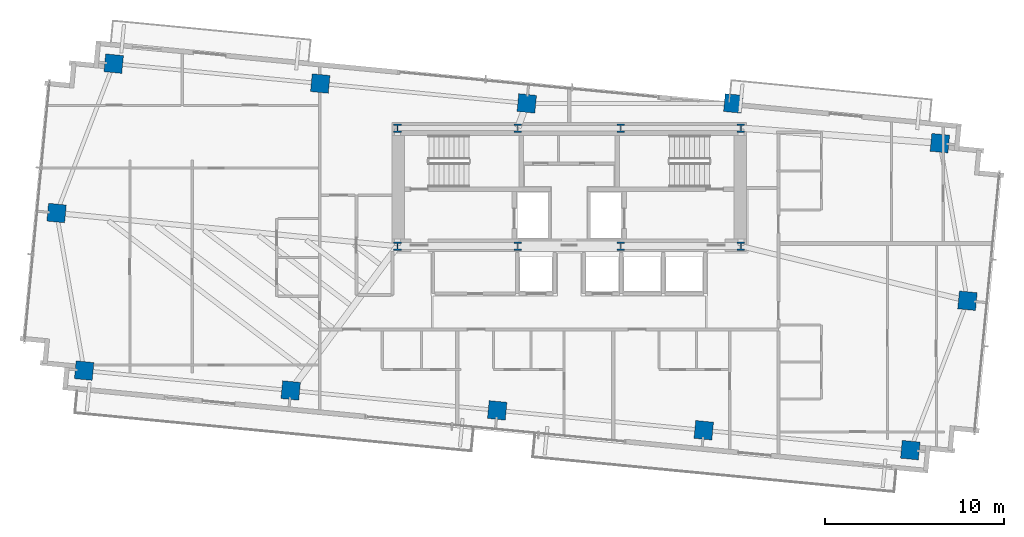
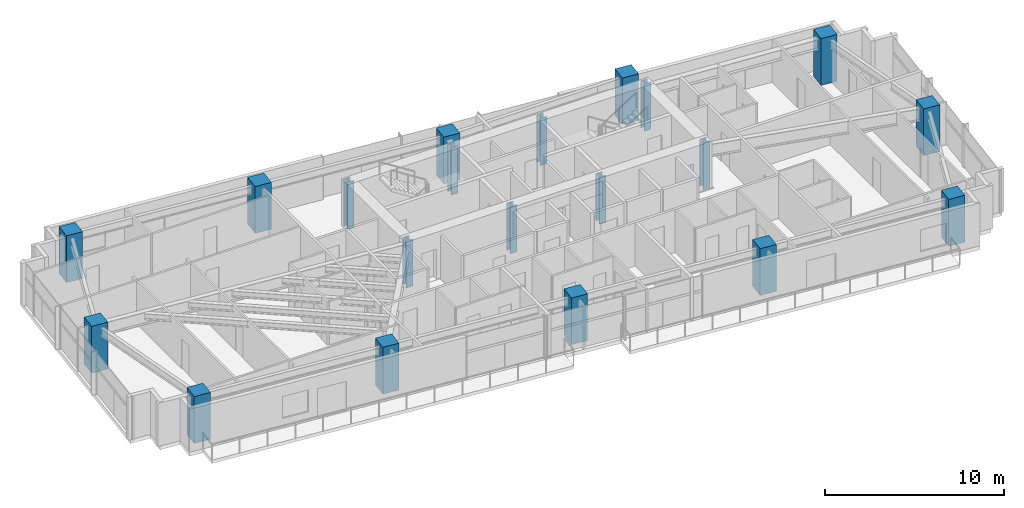
# One storey, part 1 of 19: 20 columns.
"""IFC4 building model written with IfcOpenShell, lengths in metres."""

import ifcopenshell
import ifcopenshell.guid

model = None  # the IFC model being written
_history = None  # IfcOwnerHistory: only IFC2X3 demands one
_inside = {}  # id of a spatial element -> (the spatial element, [elements in it])
_under = {}  # id of a project, library or spatial element -> (it, [spatial elements below it])
_declared = {}  # id of a project -> (the project, [libraries it declares])
_typed = {}  # id of a type object -> (the type object, [elements of that type])
_made_of = {}  # id of a material, layer set ... -> (it, [elements and type objects made of it])


def new_model(schema):
    """Start an empty IFC model of exactly this schema.

    Asked for "IFC4X3", IfcOpenShell would pick the latest addendum, in which some entities
    have other attributes; the version numbers below select the first issue.
    IFC2X3 requires an IfcOwnerHistory on every rooted entity: one is made here for all.
    """
    global model, _history
    if schema == "IFC4X3":
        model = ifcopenshell.file(schema_version=(4, 3, 0, 0))
    else:
        model = ifcopenshell.file(schema=schema)
    _inside.clear()
    _under.clear()
    _declared.clear()
    _typed.clear()
    _made_of.clear()
    _history = None
    if model.schema == "IFC2X3":
        org = make("IfcOrganization", Name="unknown")
        user = make(
            "IfcPersonAndOrganization",
            ThePerson=make("IfcPerson", FamilyName="unknown"),
            TheOrganization=org,
        )
        app = make(
            "IfcApplication",
            ApplicationDeveloper=org,
            Version="unknown",
            ApplicationFullName="unknown",
            ApplicationIdentifier="unknown",
        )
        _history = make(
            "IfcOwnerHistory",
            OwningUser=user,
            OwningApplication=app,
            ChangeAction="ADDED",
            CreationDate=0,
        )
    return model


def make(cls, **values):
    """One entity of the class cls with the attributes given. An attribute that is None is left unset."""
    return model.create_entity(
        cls, **{name: value for name, value in values.items() if value is not None}
    )


def rooted(cls, **values):
    """An entity with a GlobalId (a new one), such as an element, a storey or a relation."""
    return make(cls, GlobalId=ifcopenshell.guid.new(), OwnerHistory=_history, **values)


def si_unit(unit_type, name, prefix=None):
    """IfcSIUnit, for example si_unit("LENGTHUNIT", "METRE", prefix="MILLI")."""
    return make("IfcSIUnit", UnitType=unit_type, Prefix=prefix, Name=name)


def assignment(units):
    """IfcUnitAssignment: the units of a project."""
    return None if units is None else make("IfcUnitAssignment", Units=units)


def point(xyz):
    """IfcCartesianPoint."""
    return None if xyz is None else make("IfcCartesianPoint", Coordinates=xyz)


def direction(xyz):
    """IfcDirection."""
    return None if xyz is None else make("IfcDirection", DirectionRatios=xyz)


def frame(location, z_axis=None, x_axis=None):
    """IfcAxis2Placement3D, a coordinate frame: its origin and axes. An axis left out is left unset."""
    return make(
        "IfcAxis2Placement3D",
        Location=point(location),
        Axis=direction(z_axis),
        RefDirection=direction(x_axis),
    )


def frame_2d(location, x_axis=None):
    """IfcAxis2Placement2D, a coordinate frame in the plane: its origin and x axis."""
    return make(
        "IfcAxis2Placement2D", Location=point(location), RefDirection=direction(x_axis)
    )


def origin():
    """The frame at (0, 0, 0) with its axes left unset."""
    return frame((0.0, 0.0, 0.0))


def origin_2d():
    """The frame at (0, 0) in the plane with its x axis left unset."""
    return frame_2d((0.0, 0.0))


def place(relative_to, where):
    """IfcLocalPlacement: puts the frame where relative to a parent placement (None: the world)."""
    return make(
        "IfcLocalPlacement", PlacementRelTo=relative_to, RelativePlacement=where
    )


def context(
    kind, dimensions, precision=None, world=None, true_north=None, identifier=None
):
    """IfcGeometricRepresentationContext, for example the 3D "Model" context."""
    return make(
        "IfcGeometricRepresentationContext",
        ContextIdentifier=identifier,
        ContextType=kind,
        CoordinateSpaceDimension=dimensions,
        Precision=precision,
        WorldCoordinateSystem=world,
        TrueNorth=true_north,
    )


def subcontext(parent, identifier, kind, view, scale=None):
    """IfcGeometricRepresentationSubContext, for example "Body" below "Model"."""
    return make(
        "IfcGeometricRepresentationSubContext",
        ContextIdentifier=identifier,
        ContextType=kind,
        ParentContext=parent,
        TargetScale=scale,
        TargetView=view,
    )


def project(units=None, contexts=None):
    """IfcProject with its units and contexts."""
    return rooted(
        "IfcProject",
        Name="project",
        RepresentationContexts=contexts,
        UnitsInContext=assignment(units),
    )


def spatial(cls, under=None, at=None, **own):
    """A site, building, storey or space (cls), placed at a placement, below another one or the project."""
    s = rooted(cls, ObjectPlacement=at, **own)
    if under is not None:
        _under.setdefault(under.id(), (under, []))[1].append(s)
    return s


def profile(cls, at=None, kind="AREA", **sizes):
    """A parametric profile (cls). Its sizes go by their IFC names, for example OverallWidth=200.0."""
    return make(cls, ProfileType=kind, Position=at, **sizes)


def rectangle(**sizes):
    """IfcRectangleProfileDef."""
    return profile("IfcRectangleProfileDef", **sizes)


def i_section(**sizes):
    """IfcIShapeProfileDef."""
    return profile("IfcIShapeProfileDef", **sizes)


def extrude(swept, where, along, depth):
    """IfcExtrudedAreaSolid: the profile swept, set in the frame where, extruded along a direction by depth."""
    return make(
        "IfcExtrudedAreaSolid",
        SweptArea=swept,
        Position=where,
        ExtrudedDirection=direction(along),
        Depth=depth,
    )


def shape(context_of_items, identifier, shape_type, items):
    """IfcShapeRepresentation: the items that make up one representation, for example the "Body"."""
    return make(
        "IfcShapeRepresentation",
        ContextOfItems=context_of_items,
        RepresentationIdentifier=identifier,
        RepresentationType=shape_type,
        Items=items,
    )


def source(mapping_origin, context_of_items, identifier, shape_type, items):
    """IfcRepresentationMap: a shape defined once, which mapped items show again and again."""
    return make(
        "IfcRepresentationMap",
        MappingOrigin=mapping_origin,
        MappedRepresentation=shape(context_of_items, identifier, shape_type, items),
    )


def transform(
    local_origin,
    x_axis=None,
    y_axis=None,
    z_axis=None,
    scale=None,
    scale2=None,
    scale3=None,
    uniform=True,
):
    """IfcCartesianTransformationOperator3D, or its non-uniform kind. x_axis, y_axis, z_axis: its Axis1, 2, 3."""
    if uniform:
        return make(
            "IfcCartesianTransformationOperator3D",
            Axis1=direction(x_axis),
            Axis2=direction(y_axis),
            LocalOrigin=point(local_origin),
            Scale=scale,
            Axis3=direction(z_axis),
        )
    return make(
        "IfcCartesianTransformationOperator3DnonUniform",
        Axis1=direction(x_axis),
        Axis2=direction(y_axis),
        LocalOrigin=point(local_origin),
        Scale=scale,
        Axis3=direction(z_axis),
        Scale2=scale2,
        Scale3=scale3,
    )


def mapped(mapping_source, mapping_target):
    """IfcMappedItem: shows the shape of a source again, moved by a transform."""
    return make(
        "IfcMappedItem", MappingSource=mapping_source, MappingTarget=mapping_target
    )


def material(Name=None, Category=None):
    """IfcMaterial."""
    return make("IfcMaterial", Name=Name, Category=Category)


def material_profile(
    of_material, cross_section, Name=None, Category=None, Priority=None
):
    """IfcMaterialProfile: a cross section and its material."""
    return make(
        "IfcMaterialProfile",
        Name=Name,
        Material=of_material,
        Profile=cross_section,
        Priority=Priority,
        Category=Category,
    )


def profile_set(profiles, Name=None, composite=None):
    """IfcMaterialProfileSet."""
    return make(
        "IfcMaterialProfileSet",
        Name=Name,
        MaterialProfiles=profiles,
        CompositeProfile=composite,
    )


def made_of(thing, what):
    """Note that an element or type object is made of a material, layer set ...; save() writes the relation."""
    if what is not None:
        _made_of.setdefault(what.id(), (what, []))[1].append(thing)
    return thing


def type_object(cls, material=None, **own):
    """A type object (cls), such as IfcWallType, which elements share."""
    return made_of(rooted(cls, **own), material)


def type_shapes(of_type, sources):
    """Give a type object the sources (RepresentationMaps) that its elements show as mapped items."""
    of_type.RepresentationMaps = sources


def element(
    cls,
    number,
    at=None,
    inside=None,
    cuts=None,
    type_object=None,
    material=None,
    context=None,
    identifier="Body",
    shape_type=None,
    held_by="IfcProductDefinitionShape",
    body=None,
    shapes=None,
    **own,
):
    """One element of the class cls, such as IfcWall. Its Tag is "e" and its number.

    at: its placement. inside: the storey or other place that contains it. cuts: it is an
    opening in that element (IfcRelVoidsElement). A single representation is given by context,
    identifier, shape_type and body (its items); several are given by shapes. held_by: the class
    of the entity that holds the representations. save() writes the other relations.
    """
    e = rooted(cls, Tag="e%d" % number, ObjectPlacement=at, **own)
    if body is not None:
        shapes = [shape(context, identifier, shape_type, body)]
    if shapes is not None:
        e.Representation = make(held_by, Representations=shapes)
    if inside is not None:
        _inside.setdefault(inside.id(), (inside, []))[1].append(e)
    if cuts is not None:
        rooted(
            "IfcRelVoidsElement", RelatingBuildingElement=cuts, RelatedOpeningElement=e
        )
    if type_object is not None:
        _typed.setdefault(type_object.id(), (type_object, []))[1].append(e)
    return made_of(e, material)


def aggregate(whole, parts):
    """IfcRelAggregates: a whole, such as a stair, and the parts it consists of."""
    return rooted("IfcRelAggregates", RelatingObject=whole, RelatedObjects=parts)


def save(model, path):
    """Write the relations noted so far, then the file.

    IfcRelAggregates (storeys below a building ...), IfcRelContainedInSpatialStructure (elements
    in a storey), IfcRelDefinesByType, IfcRelAssociatesMaterial and IfcRelDeclares: one each for
    every whole, place, type object, material and project.
    """
    for whole, parts in _under.values():
        aggregate(whole, parts)
    for where, things in _inside.values():
        rooted(
            "IfcRelContainedInSpatialStructure",
            RelatedElements=things,
            RelatingStructure=where,
        )
    for kind, things in _typed.values():
        rooted("IfcRelDefinesByType", RelatedObjects=things, RelatingType=kind)
    for what, things in _made_of.values():
        rooted("IfcRelAssociatesMaterial", RelatedObjects=things, RelatingMaterial=what)
    for by, libraries in _declared.values():
        rooted("IfcRelDeclares", RelatingContext=by, RelatedDefinitions=libraries)
    model.write(path)


model = new_model("IFC4")

# Units and contexts
model_context = context("Model", 3, precision=1e-05, world=origin(), true_north=direction((0.0, 1.0)))
body_context = subcontext(model_context, "Body", "Model", "MODEL_VIEW")
ifc_project = project(units=[si_unit("LENGTHUNIT", "METRE"), si_unit("AREAUNIT", "SQUARE_METRE"), si_unit("VOLUMEUNIT", "CUBIC_METRE"), si_unit("PLANEANGLEUNIT", "RADIAN"), si_unit("MASSUNIT", "GRAM", prefix="KILO")], contexts=[model_context])

# Site, building, storey
site_placement = place(None, origin())
site = spatial("IfcSite", under=ifc_project, at=site_placement, CompositionType="ELEMENT")
building_placement = place(site_placement, origin())
building = spatial("IfcBuilding", under=site, at=building_placement, Name="Astriad Promenade Condominiums", CompositionType="ELEMENT")
storey_placement = place(building_placement, frame((0.0, 0.0, 140.60009765625)))
storey = spatial("IfcBuildingStorey", under=building, at=storey_placement, Name="L40", CompositionType="ELEMENT", Elevation=140.60009765625)

# Columns
ifc_material_1 = material(Name="Steel ASTM A992 Grade 50", Category="steel")
ifc_material_profile_1 = material_profile(ifc_material_1, i_section(OverallWidth=0.42138671875, OverallDepth=0.464599609375, WebThickness=0.044921875, FlangeThickness=0.072509765625, FilletRadius=0.017822265625, at=origin_2d()), Name="W14X398")
ifc_profile_set_1 = profile_set([ifc_material_profile_1], Name="Steel ASTM A992 Grade 50")
column_type_1 = type_object("IfcColumnType", Name="STEEL CORE PILASTER W14X398", PredefinedType="PILASTER", material=ifc_profile_set_1)
shared_shape_1 = source(origin(), body_context, "Body", "SweptSolid", [
    extrude(i_section(OverallWidth=0.42138671875, OverallDepth=0.464599609375, WebThickness=0.044921875, FlangeThickness=0.072509765625, FilletRadius=0.017822265625, at=origin_2d()), origin(), (0.0, 0.0, 1.0), 3.196044921875),
])
type_shapes(column_type_1, [shared_shape_1])
for number, where, z_axis, x_axis, name in (
    (1, (26.39990234375, 17.39990234375, 0.001953125), (0.0, 0.0, 1.0), (1.0, 0.0, 0.0), "Core Pilaster Column CP1 (L40)"),
    (2, (33.1201171875, 17.39990234375, 0.001953125), (0.0, 0.0, 1.0), (1.0, 0.0, 0.0), "Core Pilaster Column CP2 (L40)"),
    (3, (38.8798828125, 17.39990234375, 0.001953125), (0.0, 0.0, 1.0), (1.0, 0.0, 0.0), "Core Pilaster Column CP3 (L40)"),
    (4, (45.60009765625, 17.39990234375, 0.001953125), (0.0, 0.0, 1.0), (1.0, 0.0, 0.0), "Core Pilaster Column CP4 (L40)"),
    (5, (26.39990234375, 24.0, 0.001953125), (0.0, 0.0, 1.0), (1.0, 0.0, 0.0), "Core Pilaster Column CP5 (L40)"),
    (6, (33.1201171875, 24.0, 0.001953125), (0.0, 0.0, 1.0), (1.0, 0.0, 0.0), "Core Pilaster Column CP6 (L40)"),
    (7, (38.8798828125, 24.0, 0.001953125), (0.0, 0.0, 1.0), (1.0, 0.0, 0.0), "Core Pilaster Column CP7 (L40)"),
    (8, (45.60009765625, 24.0, 0.001953125), (0.0, 0.0, 1.0), (1.0, 0.0, 0.0), "Core Pilaster Column CP8 (L40)"),
):
    element("IfcColumn", number, at=place(storey_placement, frame(where, z_axis=z_axis, x_axis=x_axis)), inside=storey, type_object=column_type_1, Name=name, PredefinedType="PILASTER", context=body_context, shape_type="MappedRepresentation", body=[
        mapped(shared_shape_1, transform((0.0, 0.0, 0.0), scale=1.0)),
    ])
ifc_material_2 = material(Name="Concrete C60/75", Category="concrete")
ifc_material_profile_2 = material_profile(ifc_material_2, rectangle(XDim=1.0, YDim=1.0, at=origin_2d()), Name="RC-COL-1000X1000")
ifc_profile_set_2 = profile_set([ifc_material_profile_2], Name="Concrete C60/75")
column_type_2 = type_object("IfcColumnType", Name="CONCRETE TOWER COLUMN 1000X1000", PredefinedType="COLUMN", material=ifc_profile_set_2)
shared_shape_2 = source(origin(), body_context, "Body", "SweptSolid", [
    extrude(rectangle(XDim=1.0, YDim=1.0, at=origin_2d()), origin(), (0.0, 0.0, 1.0), 3.196044921875),
])
type_shapes(column_type_2, [shared_shape_2])
for number, where, z_axis, x_axis, name in (
    (9, (8.880615234375, 10.443359375, 0.001953125), (0.0, 0.0, 1.0), (0.995396198367, -0.09584575252, 0.0), "Perimeter Column PC01 (L40)"),
    (10, (20.42724609375, 9.33154296875, 0.001953125), (0.0, 0.0, 1.0), (0.995396198367, -0.09584575252, 0.0), "Perimeter Column PC02 (L40)"),
    (11, (31.973876953125, 8.2197265625, 0.001953125), (0.0, 0.0, 1.0), (0.995396198367, -0.09584575252, 0.0), "Perimeter Column PC03 (L40)"),
    (12, (43.5205078125, 7.10791015625, 0.001953125), (0.0, 0.0, 1.0), (0.995396198367, -0.09584575252, 0.0), "Perimeter Column PC04 (L40)"),
    (13, (55.06689453125, 5.99609375, 0.001953125), (0.0, 0.0, 1.0), (0.995396198367, -0.09584575252, 0.0), "Perimeter Column PC05 (L40)"),
    (14, (10.532958984375, 27.60400390625, 0.001953125), (0.0, 0.0, 1.0), (0.995396198367, -0.09584575252, 0.0), "Perimeter Column PC06 (L40)"),
    (15, (22.07958984375, 26.4921875, 0.001953125), (0.0, 0.0, 1.0), (0.995396198367, -0.09584575252, 0.0), "Perimeter Column PC07 (L40)"),
    (16, (33.626220703125, 25.38037109375, 0.001953125), (0.0, 0.0, 1.0), (0.995396198367, -0.09584575252, 0.0), "Perimeter Column PC08 (L40)"),
    (17, (45.1728515625, 25.3798828125, 0.001953125), (0.0, 0.0, 1.0), (0.995396198367, -0.09584575252, 0.0), "Perimeter Column PC09 (L40)"),
    (18, (56.719482421875, 23.15673828125, 0.001953125), (0.0, 0.0, 1.0), (0.995396198367, -0.09584575252, 0.0), "Perimeter Column PC10 (L40)"),
    (19, (7.337890625, 19.251708984375, 0.001953125), (0.0, 0.0, 1.0), (0.995396198367, -0.09584575252, 0.0), "Perimeter Column PC11 (L40)"),
    (20, (58.26220703125, 14.348388671875, 0.001953125), (0.0, 0.0, 1.0), (0.995396198367, -0.09584575252, 0.0), "Perimeter Column PC12 (L40)"),
):
    element("IfcColumn", number, at=place(storey_placement, frame(where, z_axis=z_axis, x_axis=x_axis)), inside=storey, type_object=column_type_2, Name=name, PredefinedType="COLUMN", context=body_context, shape_type="MappedRepresentation", body=[
        mapped(shared_shape_2, transform((0.0, 0.0, 0.0), scale=1.0)),
    ])

save(model, "model.ifc")
